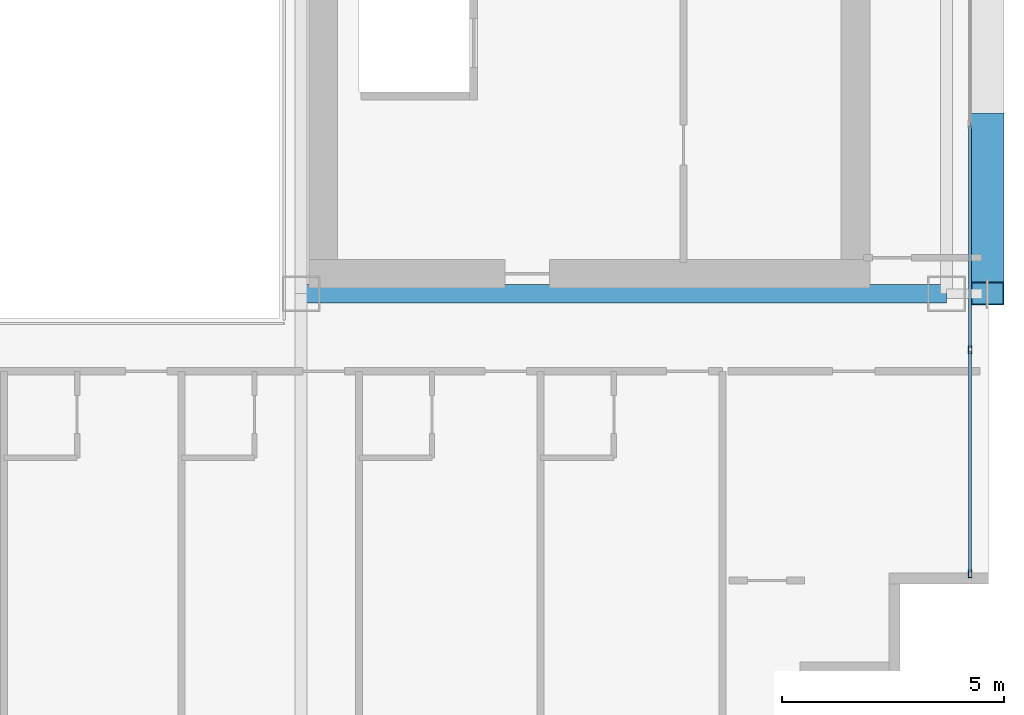
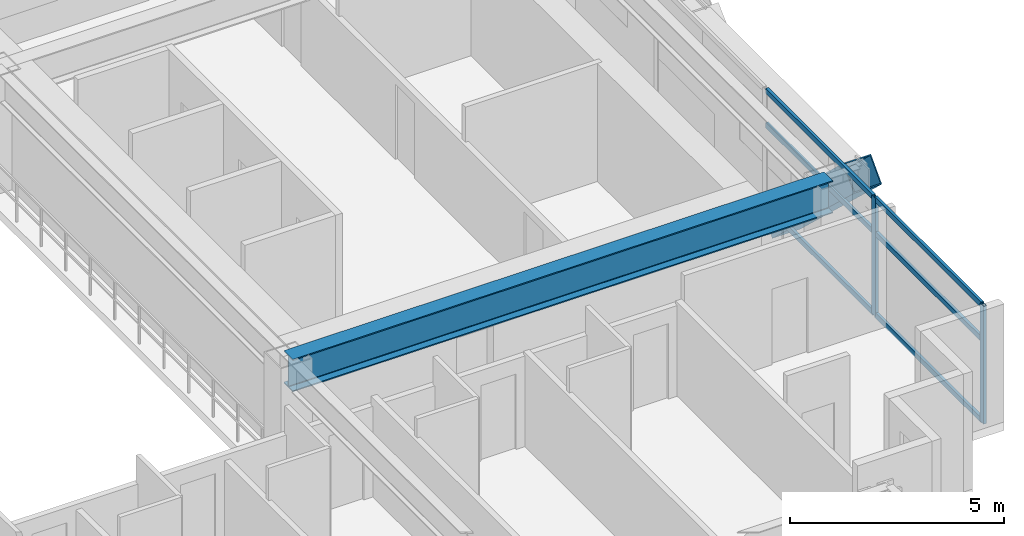
# One storey, part 11 of 36: 9 members, 1 beam, 1 element without a shape of its own.
"""IFC4 building model written with IfcOpenShell, lengths in metres."""

from ifc_helpers import new_model, si_unit, direction, frame, origin, origin_2d, place, context, subcontext, project, spatial, hollow_rectangle, i_section, extrude, source, transform, mapped, material, layer, layer_set, material_profile, profile_set, type_object, element, aggregate, save


model = new_model("IFC4")

# Units and contexts
model_context = context("Model", 3, precision=1e-05, world=origin(), true_north=direction((0.0, 1.0)))
body_context = subcontext(model_context, "Body", "Model", "MODEL_VIEW")
ifc_project = project(units=[si_unit("LENGTHUNIT", "METRE"), si_unit("AREAUNIT", "SQUARE_METRE"), si_unit("VOLUMEUNIT", "CUBIC_METRE"), si_unit("PLANEANGLEUNIT", "RADIAN"), si_unit("MASSUNIT", "GRAM", prefix="KILO")], contexts=[model_context])

# Site, building, storey
site_placement = place(None, origin())
site = spatial("IfcSite", under=ifc_project, at=site_placement, CompositionType="ELEMENT")
building_placement = place(site_placement, origin())
building = spatial("IfcBuilding", under=site, at=building_placement, Name="Ocotamira Hotel", CompositionType="ELEMENT")
storey_placement = place(building_placement, frame((0.0, 0.0, 136.800048828125)))
storey = spatial("IfcBuildingStorey", under=building, at=storey_placement, Name="L34", CompositionType="ELEMENT", Elevation=136.800048828125)

# Beam
ifc_material_1 = material(Name="Steel ASTM A992 Grade 50", Category="steel")
ifc_material_profile_1 = material_profile(ifc_material_1, i_section(OverallWidth=0.41796875, OverallDepth=0.927001953125, WebThickness=0.019287109375, FlangeThickness=0.031982421875, FilletRadius=0.02392578125, at=origin_2d()), Name="W36X231")
ifc_profile_set_1 = profile_set([ifc_material_profile_1], Name="Steel ASTM A992 Grade 50")
beam_type = type_object("IfcBeamType", Name="BM-GIRD-W36X231", PredefinedType="BEAM", material=ifc_profile_set_1)
shared_shape_1 = source(origin(), body_context, "Body", "SweptSolid", [
    extrude(i_section(OverallWidth=0.41796875, OverallDepth=0.927001953125, WebThickness=0.019287109375, FlangeThickness=0.031982421875, FilletRadius=0.02392578125, at=origin_2d()), origin(), (0.0, 0.0, 1.0), 14.550048828125),
])
beam_placement = place(storey_placement, frame((40.5, 14.550048828125, 2.896484375), z_axis=(1.0, 0.0, 0.0), x_axis=(0.0, 1.0, 0.0)))
element("IfcBeam", 1, at=beam_placement, inside=storey, type_object=beam_type, Name="L34 Girder Y14.55 X40.5-55.05", PredefinedType="BEAM", context=body_context, shape_type="MappedRepresentation", body=[
    mapped(shared_shape_1, transform((0.0, 0.0, 0.0), scale=1.0)),
])

# Member
ifc_material_2 = material(Name="Pale-metal coated steel ASTM A913 Grade 65", Category="steel")
ifc_material_profile_2 = material_profile(ifc_material_2, hollow_rectangle(XDim=0.75, YDim=0.75, WallThickness=0.028076171875, at=origin_2d()), Name="BOX750X750X28")
ifc_profile_set_2 = profile_set([ifc_material_profile_2], Name="Pale-metal coated steel ASTM A913 Grade 65")
member_type_1 = type_object("IfcMemberType", Name="MEM-EXO-BOX750", PredefinedType="BRACE", material=ifc_profile_set_2)
shared_shape_2 = source(origin(), body_context, "Body", "SweptSolid", [
    extrude(hollow_rectangle(XDim=0.75, YDim=0.75, WallThickness=0.028076171875, at=origin_2d()), origin(), (0.0, 0.0, 1.0), 5.24658203125),
])
member_1_placement = place(storey_placement, frame((55.969970703125, 18.36669921875, -0.489990234375), z_axis=(0.0, -0.72746596067, 0.686143772154), x_axis=(1.0, 0.0, 0.0)))
element("IfcMember", 2, at=member_1_placement, inside=storey, type_object=member_type_1, Name="L34 Exoskeleton Diagrid E0.1", PredefinedType="BRACE", context=body_context, shape_type="MappedRepresentation", body=[
    mapped(shared_shape_2, transform((0.0, 0.0, 0.0), scale=1.0)),
])

# Curtain wall, members
ifc_material_3 = material(Name="Anodised pale-metal aluminium and solar glass", Category="aluminium")
ifc_layer = layer(ifc_material_3, 0.179931640625)
ifc_layer_set = layer_set([ifc_layer], Name="Anodised pale-metal aluminium and solar glass")
curtain_wall_type = type_object("IfcCurtainWallType", Name="CW-SYS3-Z2", PredefinedType="NOTDEFINED", material=ifc_layer_set)
curtain_wall_placement = place(storey_placement, origin())
curtain_wall = element("IfcCurtainWall", 3, at=curtain_wall_placement, inside=storey, type_object=curtain_wall_type, Name="L34 Curtain Wall CW-3 CW-L34-E", PredefinedType="NOTDEFINED")
ifc_material_4 = material(Name="Anodised pale-metal aluminium 6063-T6", Category="aluminium")
ifc_material_profile_3 = material_profile(ifc_material_4, hollow_rectangle(XDim=0.074951171875, YDim=0.14990234375, WallThickness=0.006103515625, at=origin_2d()), Name="HSS150X75X6")
ifc_profile_set_3 = profile_set([ifc_material_profile_3], Name="Anodised pale-metal aluminium 6063-T6")
member_type_2 = type_object("IfcMemberType", Name="CWT-150X75", PredefinedType="USERDEFINED", material=ifc_profile_set_3)
shared_shape_3 = source(origin(), body_context, "Body", "SweptSolid", [
    extrude(hollow_rectangle(XDim=0.074951171875, YDim=0.14990234375, WallThickness=0.006103515625, at=origin_2d()), origin(), (0.0, 0.0, 1.0), 4.965576171875),
])
member_2_placement = place(storey_placement, frame((55.580078125, 8.280029296875, 0.037353515625), z_axis=(0.0, 1.0, 0.0), x_axis=(-1.0, 0.0, 0.0)))
member_2 = element("IfcMember", 4, at=member_2_placement, type_object=member_type_2, Name="CW-3 transom 1.1", ObjectType="TRANSOM", PredefinedType="USERDEFINED", context=body_context, shape_type="MappedRepresentation", body=[
    mapped(shared_shape_3, transform((0.0, 0.0, 0.0), scale=1.0)),
])
member_3_placement = place(storey_placement, frame((55.580078125, 8.280029296875, 2.349853515625), z_axis=(0.0, 1.0, 0.0), x_axis=(-1.0, 0.0, 0.0)))
member_3 = element("IfcMember", 5, at=member_3_placement, type_object=member_type_2, Name="CW-3 transom 1.2", ObjectType="TRANSOM", PredefinedType="USERDEFINED", context=body_context, shape_type="MappedRepresentation", body=[
    mapped(shared_shape_3, transform((0.0, 0.0, 0.0), scale=1.0)),
])
member_4_placement = place(storey_placement, frame((55.580078125, 8.280029296875, 3.322509765625), z_axis=(0.0, 1.0, 0.0), x_axis=(-1.0, 0.0, 0.0)))
member_4 = element("IfcMember", 6, at=member_4_placement, type_object=member_type_2, Name="CW-3 transom 1.3", ObjectType="TRANSOM", PredefinedType="USERDEFINED", context=body_context, shape_type="MappedRepresentation", body=[
    mapped(shared_shape_3, transform((0.0, 0.0, 0.0), scale=1.0)),
])
shared_shape_4 = source(origin(), body_context, "Body", "SweptSolid", [
    extrude(hollow_rectangle(XDim=0.074951171875, YDim=0.14990234375, WallThickness=0.006103515625, at=origin_2d()), origin(), (0.0, 0.0, 1.0), 5.005859375),
])
member_5_placement = place(storey_placement, frame((55.580078125, 13.32568359375, 0.037353515625), z_axis=(0.0, 1.0, 0.0), x_axis=(-1.0, 0.0, 0.0)))
member_5 = element("IfcMember", 7, at=member_5_placement, type_object=member_type_2, Name="CW-3 transom 2.1", ObjectType="TRANSOM", PredefinedType="USERDEFINED", context=body_context, shape_type="MappedRepresentation", body=[
    mapped(shared_shape_4, transform((0.0, 0.0, 0.0), scale=1.0)),
])
member_6_placement = place(storey_placement, frame((55.580078125, 13.32568359375, 2.349853515625), z_axis=(0.0, 1.0, 0.0), x_axis=(-1.0, 0.0, 0.0)))
member_6 = element("IfcMember", 8, at=member_6_placement, type_object=member_type_2, Name="CW-3 transom 2.2", ObjectType="TRANSOM", PredefinedType="USERDEFINED", context=body_context, shape_type="MappedRepresentation", body=[
    mapped(shared_shape_4, transform((0.0, 0.0, 0.0), scale=1.0)),
])
member_7_placement = place(storey_placement, frame((55.580078125, 13.32568359375, 3.322509765625), z_axis=(0.0, 1.0, 0.0), x_axis=(-1.0, 0.0, 0.0)))
member_7 = element("IfcMember", 9, at=member_7_placement, type_object=member_type_2, Name="CW-3 transom 2.3", ObjectType="TRANSOM", PredefinedType="USERDEFINED", context=body_context, shape_type="MappedRepresentation", body=[
    mapped(shared_shape_4, transform((0.0, 0.0, 0.0), scale=1.0)),
])
ifc_material_profile_4 = material_profile(ifc_material_4, hollow_rectangle(XDim=0.080078125, YDim=0.179931640625, WallThickness=0.006103515625, at=origin_2d()), Name="HSS180X80X6")
ifc_profile_set_4 = profile_set([ifc_material_profile_4], Name="Anodised pale-metal aluminium 6063-T6")
member_type_3 = type_object("IfcMemberType", Name="CWM-180X75", PredefinedType="MULLION", material=ifc_profile_set_4)
shared_shape_5 = source(origin(), body_context, "Body", "SweptSolid", [
    extrude(hollow_rectangle(XDim=0.080078125, YDim=0.179931640625, WallThickness=0.006103515625, at=origin_2d()), origin(), (0.0, 0.0, 1.0), 3.35986328125),
])
member_8_placement = place(storey_placement, frame((55.580078125, 8.239990234375, 0.0), z_axis=(0.0, 0.0, 1.0), x_axis=(-1.0, 0.0, 0.0)))
member_8 = element("IfcMember", 10, at=member_8_placement, type_object=member_type_3, Name="CW-3 mullion 1", PredefinedType="MULLION", context=body_context, shape_type="MappedRepresentation", body=[
    mapped(shared_shape_5, transform((0.0, 0.0, 0.0), scale=1.0)),
])
member_9_placement = place(storey_placement, frame((55.580078125, 13.28564453125, 0.0), z_axis=(0.0, 0.0, 1.0), x_axis=(-1.0, 0.0, 0.0)))
member_9 = element("IfcMember", 11, at=member_9_placement, type_object=member_type_3, Name="CW-3 mullion 2", PredefinedType="MULLION", context=body_context, shape_type="MappedRepresentation", body=[
    mapped(shared_shape_5, transform((0.0, 0.0, 0.0), scale=1.0)),
])
aggregate(curtain_wall, [member_8, member_9, member_2, member_3, member_4, member_5, member_6, member_7])

save(model, "model.ifc")
